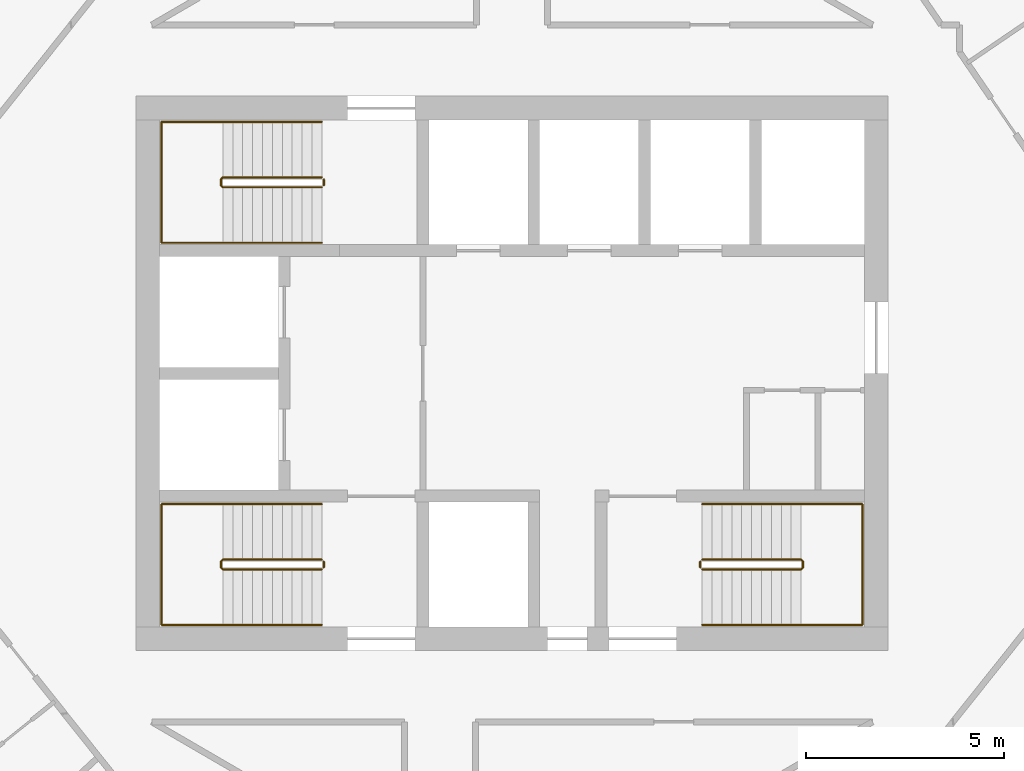
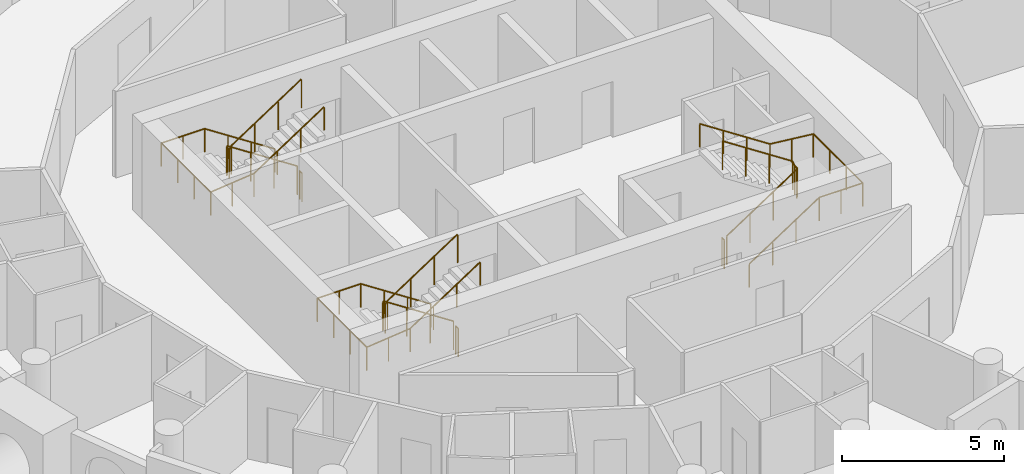
# One storey, part 12 of 12: 9 railings.
"""IFC4 building model written with IfcOpenShell, lengths in metres."""

from ifc_helpers import new_model, si_unit, direction, frame, origin, origin_2d, place, context, subcontext, project, spatial, circle, extrude, material, type_object, element, save


model = new_model("IFC4")

# Units and contexts
model_context = context("Model", 3, precision=1e-05, world=origin(), true_north=direction((0.0, 1.0)))
body_context = subcontext(model_context, "Body", "Model", "MODEL_VIEW")
ifc_project = project(units=[si_unit("LENGTHUNIT", "METRE"), si_unit("AREAUNIT", "SQUARE_METRE"), si_unit("VOLUMEUNIT", "CUBIC_METRE"), si_unit("PLANEANGLEUNIT", "RADIAN"), si_unit("MASSUNIT", "GRAM", prefix="KILO")], contexts=[model_context])

# Site, building, storey
site_placement = place(None, origin())
site = spatial("IfcSite", under=ifc_project, at=site_placement, CompositionType="ELEMENT")
building_placement = place(site_placement, origin())
building = spatial("IfcBuilding", under=site, at=building_placement, Name="Tracery Tower", CompositionType="ELEMENT")
storey_placement = place(building_placement, frame((0.0, 0.0, 287.39990234375)))
storey = spatial("IfcBuildingStorey", under=building, at=storey_placement, Name="L74", CompositionType="ELEMENT", Elevation=287.39990234375)

# Railings
ifc_material_1 = material(Name="Stainless steel and laminated glass", Category="steel")
railing_type_1 = type_object("IfcRailingType", Name="Stair guard 1100", PredefinedType="GUARDRAIL", material=ifc_material_1)
railing_1_placement = place(storey_placement, frame((-4.800048828125, -4.699951171875, 0.163818359375)))
element("IfcRailing", 1, at=railing_1_placement, inside=storey, type_object=railing_type_1, Name="L74 stair ST1 guard 1", PredefinedType="GUARDRAIL", context=body_context, shape_type="SweptSolid", body=[
    extrude(circle(Radius=0.02392578125, at=origin_2d()), frame((0.0, 0.0, 1.076171875), z_axis=(-0.836721939367, 0.0, 0.547627972425), x_axis=(0.0, -1.0, 0.0)), (0.0, 0.0, 1.0), 2.98779296875),
    extrude(circle(Radius=0.02392578125, at=origin_2d()), frame((-2.5, 0.0, 2.71240234375), z_axis=(-0.707106781187, -0.707106781187, 0.0), x_axis=(0.707106781187, -0.707106781187, 0.0)), (0.0, 0.0, 1.0), 0.07080078125),
    extrude(circle(Radius=0.02392578125, at=origin_2d()), frame((-2.550048828125, -0.050048828125, 2.71240234375), z_axis=(0.0, -1.0, 0.0), x_axis=(1.0, 0.0, 0.0)), (0.0, 0.0, 1.0), 0.14990234375),
    extrude(circle(Radius=0.02392578125, at=origin_2d()), frame((-2.550048828125, -0.199951171875, 2.71240234375), z_axis=(0.280808744504, -0.280808744504, 0.917765164963), x_axis=(0.707106781187, 0.707106781187, 0.0)), (0.0, 0.0, 1.0), 0.17822265625),
    extrude(circle(Radius=0.02392578125, at=origin_2d()), frame((-2.5, -0.25, 2.8759765625), z_axis=(0.83668449804, 0.0, 0.54768517484), x_axis=(0.0, 1.0, 0.0)), (0.0, 0.0, 1.0), 2.988037109375),
    extrude(circle(Radius=0.02099609375, at=origin_2d()), origin(), (0.0, 0.0, 1.0), 1.052001953125),
    extrude(circle(Radius=0.02099609375, at=origin_2d()), frame((-0.833251953125, 0.0, 0.54541015625)), (0.0, 0.0, 1.0), 1.052001953125),
    extrude(circle(Radius=0.02099609375, at=origin_2d()), frame((-1.666748046875, 0.0, 1.0908203125)), (0.0, 0.0, 1.0), 1.052001953125),
    extrude(circle(Radius=0.02099609375, at=origin_2d()), frame((-2.5, 0.0, 1.63623046875)), (0.0, 0.0, 1.0), 1.052001953125),
    extrude(circle(Radius=0.02099609375, at=origin_2d()), frame((-2.550048828125, -0.050048828125, 1.63623046875)), (0.0, 0.0, 1.0), 1.052001953125),
    extrude(circle(Radius=0.02099609375, at=origin_2d()), frame((-2.550048828125, -0.199951171875, 1.63623046875)), (0.0, 0.0, 1.0), 1.052001953125),
    extrude(circle(Radius=0.02099609375, at=origin_2d()), frame((-2.5, -0.25, 1.7998046875)), (0.0, 0.0, 1.0), 1.052001953125),
    extrude(circle(Radius=0.02099609375, at=origin_2d()), frame((-1.666748046875, -0.25, 2.34521484375)), (0.0, 0.0, 1.0), 1.052001953125),
    extrude(circle(Radius=0.02099609375, at=origin_2d()), frame((-0.833251953125, -0.25, 2.890869140625)), (0.0, 0.0, 1.0), 1.052001953125),
    extrude(circle(Radius=0.02099609375, at=origin_2d()), frame((0.0, -0.25, 3.436279296875)), (0.0, 0.0, 1.0), 1.052001953125),
])
railing_2_placement = place(storey_placement, frame((-4.75, -4.75, 0.0)))
element("IfcRailing", 2, at=railing_2_placement, inside=storey, type_object=railing_type_1, Name="L74 stair ST1 guard 2", PredefinedType="GUARDRAIL", context=body_context, shape_type="SweptSolid", body=[
    extrude(circle(Radius=0.02392578125, at=origin_2d()), frame((0.0, 0.0, 1.076171875), z_axis=(0.0, -1.0, 0.0), x_axis=(1.0, 0.0, 0.0)), (0.0, 0.0, 1.0), 0.14990234375),
    extrude(circle(Radius=0.02099609375, at=origin_2d()), origin(), (0.0, 0.0, 1.0), 1.052001953125),
    extrude(circle(Radius=0.02099609375, at=origin_2d()), frame((0.0, -0.14990234375, 0.0)), (0.0, 0.0, 1.0), 1.052001953125),
])
railing_3_placement = place(storey_placement, frame((-4.800048828125, 4.949951171875, 0.163818359375)))
element("IfcRailing", 3, at=railing_3_placement, inside=storey, type_object=railing_type_1, Name="L74 stair ST3 guard 1", PredefinedType="GUARDRAIL", context=body_context, shape_type="SweptSolid", body=[
    extrude(circle(Radius=0.02392578125, at=origin_2d()), frame((0.0, 0.0, 1.076171875), z_axis=(-0.836721939367, 0.0, 0.547627972425), x_axis=(0.0, -1.0, 0.0)), (0.0, 0.0, 1.0), 2.98779296875),
    extrude(circle(Radius=0.02392578125, at=origin_2d()), frame((-2.5, 0.0, 2.71240234375), z_axis=(-0.707106781187, -0.707106781187, 0.0), x_axis=(0.707106781187, -0.707106781187, 0.0)), (0.0, 0.0, 1.0), 0.07080078125),
    extrude(circle(Radius=0.02392578125, at=origin_2d()), frame((-2.550048828125, -0.050048828125, 2.71240234375), z_axis=(0.0, -1.0, 0.0), x_axis=(1.0, 0.0, 0.0)), (0.0, 0.0, 1.0), 0.14990234375),
    extrude(circle(Radius=0.02392578125, at=origin_2d()), frame((-2.550048828125, -0.199951171875, 2.71240234375), z_axis=(0.280808744504, -0.280808744504, 0.917765164963), x_axis=(0.707106781187, 0.707106781187, 0.0)), (0.0, 0.0, 1.0), 0.17822265625),
    extrude(circle(Radius=0.02392578125, at=origin_2d()), frame((-2.5, -0.25, 2.8759765625), z_axis=(0.83668449804, 0.0, 0.54768517484), x_axis=(0.0, 1.0, 0.0)), (0.0, 0.0, 1.0), 2.988037109375),
    extrude(circle(Radius=0.02099609375, at=origin_2d()), origin(), (0.0, 0.0, 1.0), 1.052001953125),
    extrude(circle(Radius=0.02099609375, at=origin_2d()), frame((-0.833251953125, 0.0, 0.54541015625)), (0.0, 0.0, 1.0), 1.052001953125),
    extrude(circle(Radius=0.02099609375, at=origin_2d()), frame((-1.666748046875, 0.0, 1.0908203125)), (0.0, 0.0, 1.0), 1.052001953125),
    extrude(circle(Radius=0.02099609375, at=origin_2d()), frame((-2.5, 0.0, 1.63623046875)), (0.0, 0.0, 1.0), 1.052001953125),
    extrude(circle(Radius=0.02099609375, at=origin_2d()), frame((-2.550048828125, -0.050048828125, 1.63623046875)), (0.0, 0.0, 1.0), 1.052001953125),
    extrude(circle(Radius=0.02099609375, at=origin_2d()), frame((-2.550048828125, -0.199951171875, 1.63623046875)), (0.0, 0.0, 1.0), 1.052001953125),
    extrude(circle(Radius=0.02099609375, at=origin_2d()), frame((-2.5, -0.25, 1.7998046875)), (0.0, 0.0, 1.0), 1.052001953125),
    extrude(circle(Radius=0.02099609375, at=origin_2d()), frame((-1.666748046875, -0.25, 2.34521484375)), (0.0, 0.0, 1.0), 1.052001953125),
    extrude(circle(Radius=0.02099609375, at=origin_2d()), frame((-0.833251953125, -0.25, 2.890869140625)), (0.0, 0.0, 1.0), 1.052001953125),
    extrude(circle(Radius=0.02099609375, at=origin_2d()), frame((0.0, -0.25, 3.436279296875)), (0.0, 0.0, 1.0), 1.052001953125),
])
railing_4_placement = place(storey_placement, frame((-4.75, 4.89990234375, 0.0)))
element("IfcRailing", 4, at=railing_4_placement, inside=storey, type_object=railing_type_1, Name="L74 stair ST3 guard 2", PredefinedType="GUARDRAIL", context=body_context, shape_type="SweptSolid", body=[
    extrude(circle(Radius=0.02392578125, at=origin_2d()), frame((0.0, 0.0, 1.076171875), z_axis=(0.0, -1.0, 0.0), x_axis=(1.0, 0.0, 0.0)), (0.0, 0.0, 1.0), 0.14990234375),
    extrude(circle(Radius=0.02099609375, at=origin_2d()), origin(), (0.0, 0.0, 1.0), 1.052001953125),
    extrude(circle(Radius=0.02099609375, at=origin_2d()), frame((0.0, -0.14990234375, 0.0)), (0.0, 0.0, 1.0), 1.052001953125),
])
railing_5_placement = place(storey_placement, frame((4.800048828125, -4.949951171875, 0.163818359375)))
element("IfcRailing", 5, at=railing_5_placement, inside=storey, type_object=railing_type_1, Name="L74 stair ST2 guard 1", PredefinedType="GUARDRAIL", context=body_context, shape_type="SweptSolid", body=[
    extrude(circle(Radius=0.02392578125, at=origin_2d()), frame((0.0, 0.0, 1.076171875), z_axis=(0.836721939367, 0.0, 0.547627972425), x_axis=(0.0, 1.0, 0.0)), (0.0, 0.0, 1.0), 2.98779296875),
    extrude(circle(Radius=0.02392578125, at=origin_2d()), frame((2.5, 0.0, 2.71240234375), z_axis=(0.707106781187, 0.707106781187, 0.0), x_axis=(-0.707106781187, 0.707106781187, 0.0)), (0.0, 0.0, 1.0), 0.07080078125),
    extrude(circle(Radius=0.02392578125, at=origin_2d()), frame((2.550048828125, 0.050048828125, 2.71240234375), z_axis=(0.0, 1.0, 0.0), x_axis=(-1.0, 0.0, 0.0)), (0.0, 0.0, 1.0), 0.14990234375),
    extrude(circle(Radius=0.02392578125, at=origin_2d()), frame((2.550048828125, 0.199951171875, 2.71240234375), z_axis=(-0.280808744504, 0.280808744504, 0.917765164963), x_axis=(-0.707106781187, -0.707106781187, 0.0)), (0.0, 0.0, 1.0), 0.17822265625),
    extrude(circle(Radius=0.02392578125, at=origin_2d()), frame((2.5, 0.25, 2.8759765625), z_axis=(-0.83668449804, 0.0, 0.54768517484), x_axis=(0.0, -1.0, 0.0)), (0.0, 0.0, 1.0), 2.988037109375),
    extrude(circle(Radius=0.02099609375, at=origin_2d()), origin(), (0.0, 0.0, 1.0), 1.052001953125),
    extrude(circle(Radius=0.02099609375, at=origin_2d()), frame((0.833251953125, 0.0, 0.54541015625)), (0.0, 0.0, 1.0), 1.052001953125),
    extrude(circle(Radius=0.02099609375, at=origin_2d()), frame((1.666748046875, 0.0, 1.0908203125)), (0.0, 0.0, 1.0), 1.052001953125),
    extrude(circle(Radius=0.02099609375, at=origin_2d()), frame((2.5, 0.0, 1.63623046875)), (0.0, 0.0, 1.0), 1.052001953125),
    extrude(circle(Radius=0.02099609375, at=origin_2d()), frame((2.550048828125, 0.050048828125, 1.63623046875)), (0.0, 0.0, 1.0), 1.052001953125),
    extrude(circle(Radius=0.02099609375, at=origin_2d()), frame((2.550048828125, 0.199951171875, 1.63623046875)), (0.0, 0.0, 1.0), 1.052001953125),
    extrude(circle(Radius=0.02099609375, at=origin_2d()), frame((2.5, 0.25, 1.7998046875)), (0.0, 0.0, 1.0), 1.052001953125),
    extrude(circle(Radius=0.02099609375, at=origin_2d()), frame((1.666748046875, 0.25, 2.34521484375)), (0.0, 0.0, 1.0), 1.052001953125),
    extrude(circle(Radius=0.02099609375, at=origin_2d()), frame((0.833251953125, 0.25, 2.890869140625)), (0.0, 0.0, 1.0), 1.052001953125),
    extrude(circle(Radius=0.02099609375, at=origin_2d()), frame((0.0, 0.25, 3.436279296875)), (0.0, 0.0, 1.0), 1.052001953125),
])
railing_6_placement = place(storey_placement, frame((4.75, -4.89990234375, 0.0)))
element("IfcRailing", 6, at=railing_6_placement, inside=storey, type_object=railing_type_1, Name="L74 stair ST2 guard 2", PredefinedType="GUARDRAIL", context=body_context, shape_type="SweptSolid", body=[
    extrude(circle(Radius=0.02392578125, at=origin_2d()), frame((0.0, 0.0, 1.076171875), z_axis=(0.0, 1.0, 0.0), x_axis=(-1.0, 0.0, 0.0)), (0.0, 0.0, 1.0), 0.14990234375),
    extrude(circle(Radius=0.02099609375, at=origin_2d()), origin(), (0.0, 0.0, 1.0), 1.052001953125),
    extrude(circle(Radius=0.02099609375, at=origin_2d()), frame((0.0, 0.14990234375, 0.0)), (0.0, 0.0, 1.0), 1.052001953125),
])
ifc_material_2 = material(Name="Stainless steel and laminated glass", Category="steel")
railing_type_2 = type_object("IfcRailingType", Name="Stair handrail 900", PredefinedType="HANDRAIL", material=ifc_material_2)
railing_7_placement = place(storey_placement, frame((-4.800048828125, -3.300048828125, 0.163818359375)))
element("IfcRailing", 7, at=railing_7_placement, inside=storey, type_object=railing_type_2, Name="L74 stair ST1 handrail 1", PredefinedType="HANDRAIL", context=body_context, shape_type="SweptSolid", body=[
    extrude(circle(Radius=0.02392578125, at=origin_2d()), frame((0.0, 0.0, 0.8759765625), z_axis=(-0.836721939367, 0.0, 0.547627972425), x_axis=(0.0, -1.0, 0.0)), (0.0, 0.0, 1.0), 2.98779296875),
    extrude(circle(Radius=0.02392578125, at=origin_2d()), frame((-2.5, 0.0, 2.51220703125), z_axis=(-1.0, 0.0, 0.0), x_axis=(0.0, -1.0, 0.0)), (0.0, 0.0, 1.0), 1.550048828125),
    extrude(circle(Radius=0.02392578125, at=origin_2d()), frame((-4.050048828125, 0.0, 2.51220703125), z_axis=(0.0, -1.0, 0.0), x_axis=(1.0, 0.0, 0.0)), (0.0, 0.0, 1.0), 3.050048828125),
    extrude(circle(Radius=0.02392578125, at=origin_2d()), frame((-4.050048828125, -3.050048828125, 2.51220703125), z_axis=(0.994477953863, 0.0, 0.104945696817), x_axis=(0.0, 1.0, 0.0)), (0.0, 0.0, 1.0), 1.55859375),
    extrude(circle(Radius=0.02392578125, at=origin_2d()), frame((-2.5, -3.050048828125, 2.67578125), z_axis=(0.83668449804, 0.0, 0.54768517484), x_axis=(0.0, 1.0, 0.0)), (0.0, 0.0, 1.0), 2.988037109375),
    extrude(circle(Radius=0.02099609375, at=origin_2d()), origin(), (0.0, 0.0, 1.0), 0.851806640625),
    extrude(circle(Radius=0.02099609375, at=origin_2d()), frame((-0.833251953125, 0.0, 0.54541015625)), (0.0, 0.0, 1.0), 0.851806640625),
    extrude(circle(Radius=0.02099609375, at=origin_2d()), frame((-1.666748046875, 0.0, 1.0908203125)), (0.0, 0.0, 1.0), 0.851806640625),
    extrude(circle(Radius=0.02099609375, at=origin_2d()), frame((-2.5, 0.0, 1.63623046875)), (0.0, 0.0, 1.0), 0.851806640625),
    extrude(circle(Radius=0.02099609375, at=origin_2d()), frame((-3.27490234375, 0.0, 1.63623046875)), (0.0, 0.0, 1.0), 0.851806640625),
    extrude(circle(Radius=0.02099609375, at=origin_2d()), frame((-4.050048828125, 0.0, 1.63623046875)), (0.0, 0.0, 1.0), 0.851806640625),
    extrude(circle(Radius=0.02099609375, at=origin_2d()), frame((-4.050048828125, -1.0166015625, 1.63623046875)), (0.0, 0.0, 1.0), 0.851806640625),
    extrude(circle(Radius=0.02099609375, at=origin_2d()), frame((-4.050048828125, -2.033447265625, 1.63623046875)), (0.0, 0.0, 1.0), 0.851806640625),
    extrude(circle(Radius=0.02099609375, at=origin_2d()), frame((-4.050048828125, -3.050048828125, 1.63623046875)), (0.0, 0.0, 1.0), 0.851806640625),
    extrude(circle(Radius=0.02099609375, at=origin_2d()), frame((-3.27490234375, -3.050048828125, 1.718017578125)), (0.0, 0.0, 1.0), 0.851806640625),
    extrude(circle(Radius=0.02099609375, at=origin_2d()), frame((-2.5, -3.050048828125, 1.7998046875)), (0.0, 0.0, 1.0), 0.851806640625),
    extrude(circle(Radius=0.02099609375, at=origin_2d()), frame((-1.666748046875, -3.050048828125, 2.34521484375)), (0.0, 0.0, 1.0), 0.851806640625),
    extrude(circle(Radius=0.02099609375, at=origin_2d()), frame((-0.833251953125, -3.050048828125, 2.890869140625)), (0.0, 0.0, 1.0), 0.851806640625),
    extrude(circle(Radius=0.02099609375, at=origin_2d()), frame((0.0, -3.050048828125, 3.436279296875)), (0.0, 0.0, 1.0), 0.851806640625),
])
railing_8_placement = place(storey_placement, frame((-4.800048828125, 6.35009765625, 0.163818359375)))
element("IfcRailing", 8, at=railing_8_placement, inside=storey, type_object=railing_type_2, Name="L74 stair ST3 handrail 1", PredefinedType="HANDRAIL", context=body_context, shape_type="SweptSolid", body=[
    extrude(circle(Radius=0.02392578125, at=origin_2d()), frame((0.0, 0.0, 0.8759765625), z_axis=(-0.836721939367, 0.0, 0.547627972425), x_axis=(0.0, -1.0, 0.0)), (0.0, 0.0, 1.0), 2.98779296875),
    extrude(circle(Radius=0.02392578125, at=origin_2d()), frame((-2.5, 0.0, 2.51220703125), z_axis=(-1.0, 0.0, 0.0), x_axis=(0.0, -1.0, 0.0)), (0.0, 0.0, 1.0), 1.550048828125),
    extrude(circle(Radius=0.02392578125, at=origin_2d()), frame((-4.050048828125, 0.0, 2.51220703125), z_axis=(0.0, -1.0, 0.0), x_axis=(1.0, 0.0, 0.0)), (0.0, 0.0, 1.0), 3.050048828125),
    extrude(circle(Radius=0.02392578125, at=origin_2d()), frame((-4.050048828125, -3.050048828125, 2.51220703125), z_axis=(0.994477953863, 0.0, 0.104945696817), x_axis=(0.0, 1.0, 0.0)), (0.0, 0.0, 1.0), 1.55859375),
    extrude(circle(Radius=0.02392578125, at=origin_2d()), frame((-2.5, -3.050048828125, 2.67578125), z_axis=(0.83668449804, 0.0, 0.54768517484), x_axis=(0.0, 1.0, 0.0)), (0.0, 0.0, 1.0), 2.988037109375),
    extrude(circle(Radius=0.02099609375, at=origin_2d()), origin(), (0.0, 0.0, 1.0), 0.851806640625),
    extrude(circle(Radius=0.02099609375, at=origin_2d()), frame((-0.833251953125, 0.0, 0.54541015625)), (0.0, 0.0, 1.0), 0.851806640625),
    extrude(circle(Radius=0.02099609375, at=origin_2d()), frame((-1.666748046875, 0.0, 1.0908203125)), (0.0, 0.0, 1.0), 0.851806640625),
    extrude(circle(Radius=0.02099609375, at=origin_2d()), frame((-2.5, 0.0, 1.63623046875)), (0.0, 0.0, 1.0), 0.851806640625),
    extrude(circle(Radius=0.02099609375, at=origin_2d()), frame((-3.27490234375, 0.0, 1.63623046875)), (0.0, 0.0, 1.0), 0.851806640625),
    extrude(circle(Radius=0.02099609375, at=origin_2d()), frame((-4.050048828125, 0.0, 1.63623046875)), (0.0, 0.0, 1.0), 0.851806640625),
    extrude(circle(Radius=0.02099609375, at=origin_2d()), frame((-4.050048828125, -1.0166015625, 1.63623046875)), (0.0, 0.0, 1.0), 0.851806640625),
    extrude(circle(Radius=0.02099609375, at=origin_2d()), frame((-4.050048828125, -2.033447265625, 1.63623046875)), (0.0, 0.0, 1.0), 0.851806640625),
    extrude(circle(Radius=0.02099609375, at=origin_2d()), frame((-4.050048828125, -3.050048828125, 1.63623046875)), (0.0, 0.0, 1.0), 0.851806640625),
    extrude(circle(Radius=0.02099609375, at=origin_2d()), frame((-3.27490234375, -3.050048828125, 1.718017578125)), (0.0, 0.0, 1.0), 0.851806640625),
    extrude(circle(Radius=0.02099609375, at=origin_2d()), frame((-2.5, -3.050048828125, 1.7998046875)), (0.0, 0.0, 1.0), 0.851806640625),
    extrude(circle(Radius=0.02099609375, at=origin_2d()), frame((-1.666748046875, -3.050048828125, 2.34521484375)), (0.0, 0.0, 1.0), 0.851806640625),
    extrude(circle(Radius=0.02099609375, at=origin_2d()), frame((-0.833251953125, -3.050048828125, 2.890869140625)), (0.0, 0.0, 1.0), 0.851806640625),
    extrude(circle(Radius=0.02099609375, at=origin_2d()), frame((0.0, -3.050048828125, 3.436279296875)), (0.0, 0.0, 1.0), 0.851806640625),
])
railing_9_placement = place(storey_placement, frame((4.800048828125, -6.35009765625, 0.163818359375)))
element("IfcRailing", 9, at=railing_9_placement, inside=storey, type_object=railing_type_2, Name="L74 stair ST2 handrail 1", PredefinedType="HANDRAIL", context=body_context, shape_type="SweptSolid", body=[
    extrude(circle(Radius=0.02392578125, at=origin_2d()), frame((0.0, 0.0, 0.8759765625), z_axis=(0.836721939367, 0.0, 0.547627972425), x_axis=(0.0, 1.0, 0.0)), (0.0, 0.0, 1.0), 2.98779296875),
    extrude(circle(Radius=0.02392578125, at=origin_2d()), frame((2.5, 0.0, 2.51220703125), z_axis=(1.0, 0.0, 0.0), x_axis=(0.0, 1.0, 0.0)), (0.0, 0.0, 1.0), 1.550048828125),
    extrude(circle(Radius=0.02392578125, at=origin_2d()), frame((4.050048828125, 0.0, 2.51220703125), z_axis=(0.0, 1.0, 0.0), x_axis=(-1.0, 0.0, 0.0)), (0.0, 0.0, 1.0), 3.050048828125),
    extrude(circle(Radius=0.02392578125, at=origin_2d()), frame((4.050048828125, 3.050048828125, 2.51220703125), z_axis=(-0.994477953863, 0.0, 0.104945696817), x_axis=(0.0, -1.0, 0.0)), (0.0, 0.0, 1.0), 1.55859375),
    extrude(circle(Radius=0.02392578125, at=origin_2d()), frame((2.5, 3.050048828125, 2.67578125), z_axis=(-0.83668449804, 0.0, 0.54768517484), x_axis=(0.0, -1.0, 0.0)), (0.0, 0.0, 1.0), 2.988037109375),
    extrude(circle(Radius=0.02099609375, at=origin_2d()), origin(), (0.0, 0.0, 1.0), 0.851806640625),
    extrude(circle(Radius=0.02099609375, at=origin_2d()), frame((0.833251953125, 0.0, 0.54541015625)), (0.0, 0.0, 1.0), 0.851806640625),
    extrude(circle(Radius=0.02099609375, at=origin_2d()), frame((1.666748046875, 0.0, 1.0908203125)), (0.0, 0.0, 1.0), 0.851806640625),
    extrude(circle(Radius=0.02099609375, at=origin_2d()), frame((2.5, 0.0, 1.63623046875)), (0.0, 0.0, 1.0), 0.851806640625),
    extrude(circle(Radius=0.02099609375, at=origin_2d()), frame((3.27490234375, 0.0, 1.63623046875)), (0.0, 0.0, 1.0), 0.851806640625),
    extrude(circle(Radius=0.02099609375, at=origin_2d()), frame((4.050048828125, 0.0, 1.63623046875)), (0.0, 0.0, 1.0), 0.851806640625),
    extrude(circle(Radius=0.02099609375, at=origin_2d()), frame((4.050048828125, 1.0166015625, 1.63623046875)), (0.0, 0.0, 1.0), 0.851806640625),
    extrude(circle(Radius=0.02099609375, at=origin_2d()), frame((4.050048828125, 2.033447265625, 1.63623046875)), (0.0, 0.0, 1.0), 0.851806640625),
    extrude(circle(Radius=0.02099609375, at=origin_2d()), frame((4.050048828125, 3.050048828125, 1.63623046875)), (0.0, 0.0, 1.0), 0.851806640625),
    extrude(circle(Radius=0.02099609375, at=origin_2d()), frame((3.27490234375, 3.050048828125, 1.718017578125)), (0.0, 0.0, 1.0), 0.851806640625),
    extrude(circle(Radius=0.02099609375, at=origin_2d()), frame((2.5, 3.050048828125, 1.7998046875)), (0.0, 0.0, 1.0), 0.851806640625),
    extrude(circle(Radius=0.02099609375, at=origin_2d()), frame((1.666748046875, 3.050048828125, 2.34521484375)), (0.0, 0.0, 1.0), 0.851806640625),
    extrude(circle(Radius=0.02099609375, at=origin_2d()), frame((0.833251953125, 3.050048828125, 2.890869140625)), (0.0, 0.0, 1.0), 0.851806640625),
    extrude(circle(Radius=0.02099609375, at=origin_2d()), frame((0.0, 3.050048828125, 3.436279296875)), (0.0, 0.0, 1.0), 0.851806640625),
])

save(model, "model.ifc")
